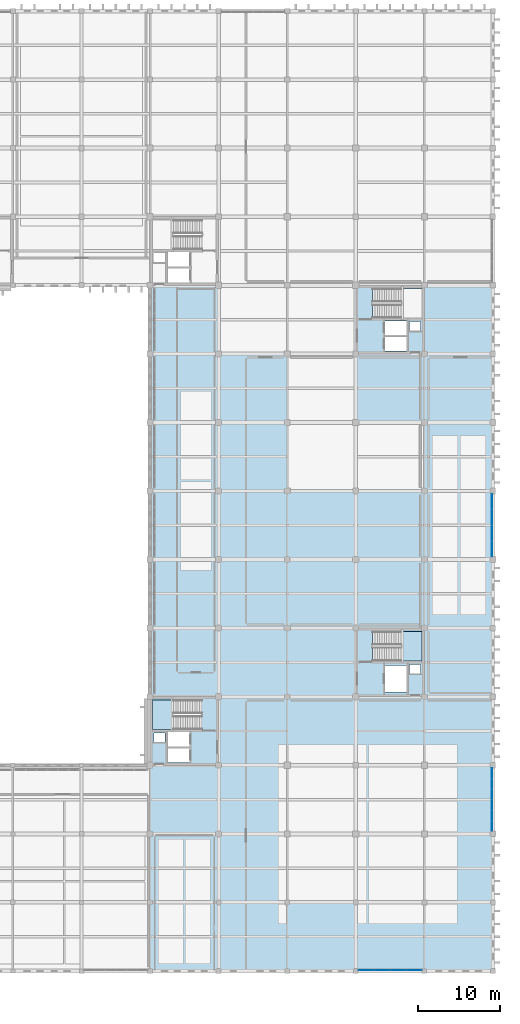
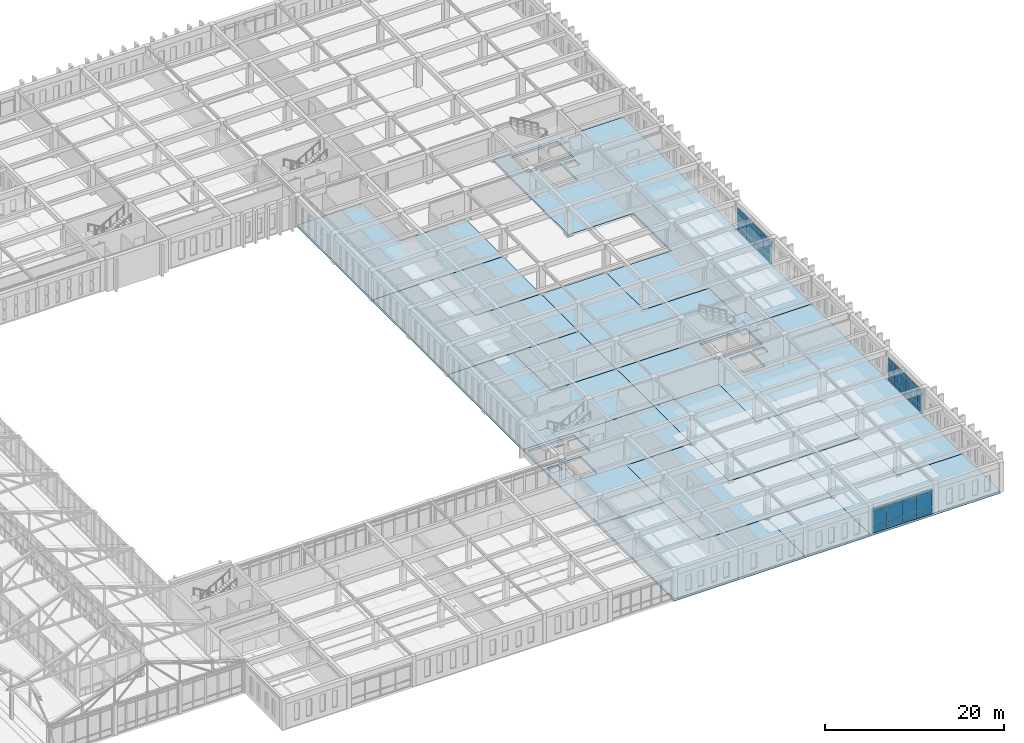
# One storey, part 128 of 192: 42 plates, 16 slabs, 5 elements without a shape of their own.
"""IFC4 building model written with IfcOpenShell, lengths in metres."""

from ifc_helpers import new_model, si_unit, direction, frame, origin, origin_2d, place, context, subcontext, project, spatial, polyline, rectangle, outline, extrude, material, layer, layer_set, type_object, element, aggregate, save


model = new_model("IFC4")

# Units and contexts
model_context = context("Model", 3, precision=1e-05, world=origin(), true_north=direction((0.0, 1.0)))
body_context = subcontext(model_context, "Body", "Model", "MODEL_VIEW")
ifc_project = project(units=[si_unit("LENGTHUNIT", "METRE"), si_unit("AREAUNIT", "SQUARE_METRE"), si_unit("VOLUMEUNIT", "CUBIC_METRE"), si_unit("PLANEANGLEUNIT", "RADIAN"), si_unit("MASSUNIT", "GRAM", prefix="KILO")], contexts=[model_context])

# Site, building, storey
site_placement = place(None, origin())
site = spatial("IfcSite", under=ifc_project, at=site_placement, CompositionType="ELEMENT")
building_placement = place(site_placement, origin())
building = spatial("IfcBuilding", under=site, at=building_placement, Name="Kveldsbrygga Polytechnic", CompositionType="ELEMENT")
storey_placement = place(building_placement, frame((0.0, 0.0, 5.43994140625)))
storey = spatial("IfcBuildingStorey", under=building, at=storey_placement, Name="L01", CompositionType="ELEMENT", Elevation=5.43994140625)

# Curtain wall, plates
ifc_material_1 = material(Name="Anodised aluminium AW-6060", Category="aluminium")
ifc_layer_1 = layer(ifc_material_1, 0.179931640625)
ifc_layer_set_1 = layer_set([ifc_layer_1], Name="Anodised aluminium AW-6060")
curtain_wall_type_1 = type_object("IfcCurtainWallType", Name="CW-CONC-A", PredefinedType="USERDEFINED", material=ifc_layer_set_1)
curtain_wall_1_placement = place(storey_placement, origin())
curtain_wall_1 = element("IfcCurtainWall", 1, at=curtain_wall_1_placement, inside=storey, type_object=curtain_wall_type_1, Name="Curtain Wall CW-L01-Y-20-02", ObjectType="UNITISED CURTAIN WALL", PredefinedType="USERDEFINED")
ifc_material_2 = material(Name="Insulated triple low-E glass", Category="glass")
ifc_layer_2 = layer(ifc_material_2, 0.035888671875)
ifc_layer_set_2 = layer_set([ifc_layer_2], Name="Insulated triple low-E glass")
plate_type_1 = type_object("IfcPlateType", Name="CW-PAN-VIS36", PredefinedType="CURTAIN_PANEL", material=ifc_layer_set_2)
plate_1_placement = place(storey_placement, frame((167.89990234375, 17.794921875, 0.06005859375), z_axis=(0.0, 0.0, 1.0), x_axis=(0.0, 1.0, 0.0)))
plate_1 = element("IfcPlate", 2, at=plate_1_placement, type_object=plate_type_1, Name="CW-01 panel 1.1", PredefinedType="CURTAIN_PANEL", context=body_context, shape_type="SweptSolid", body=[
    extrude(rectangle(XDim=1.199951171875, YDim=0.035888671875, at=origin_2d()), origin(), (0.0, 0.0, 1.0), 0.81005859375),
])
plate_2_placement = place(storey_placement, frame((167.89990234375, 17.794921875, 0.93017578125), z_axis=(0.0, 0.0, 1.0), x_axis=(0.0, 1.0, 0.0)))
plate_2 = element("IfcPlate", 3, at=plate_2_placement, type_object=plate_type_1, Name="CW-01 panel 1.2", PredefinedType="CURTAIN_PANEL", context=body_context, shape_type="SweptSolid", body=[
    extrude(rectangle(XDim=1.199951171875, YDim=0.035888671875, at=origin_2d()), origin(), (0.0, 0.0, 1.0), 1.860107421875),
])
plate_3_placement = place(storey_placement, frame((167.89990234375, 17.794921875, 2.85009765625), z_axis=(0.0, 0.0, 1.0), x_axis=(0.0, 1.0, 0.0)))
plate_3 = element("IfcPlate", 4, at=plate_3_placement, type_object=plate_type_1, Name="CW-01 panel 1.3", PredefinedType="CURTAIN_PANEL", context=body_context, shape_type="SweptSolid", body=[
    extrude(rectangle(XDim=1.199951171875, YDim=0.035888671875, at=origin_2d()), origin(), (0.0, 0.0, 1.0), 0.4599609375),
])
plate_4_placement = place(storey_placement, frame((167.89990234375, 19.070068359375, 0.06005859375), z_axis=(0.0, 0.0, 1.0), x_axis=(0.0, 1.0, 0.0)))
plate_4 = element("IfcPlate", 5, at=plate_4_placement, type_object=plate_type_1, Name="CW-01 panel 2.1", PredefinedType="CURTAIN_PANEL", context=body_context, shape_type="SweptSolid", body=[
    extrude(rectangle(XDim=1.22998046875, YDim=0.035888671875, at=origin_2d()), origin(), (0.0, 0.0, 1.0), 0.81005859375),
])
plate_5_placement = place(storey_placement, frame((167.89990234375, 19.070068359375, 0.93017578125), z_axis=(0.0, 0.0, 1.0), x_axis=(0.0, 1.0, 0.0)))
plate_5 = element("IfcPlate", 6, at=plate_5_placement, type_object=plate_type_1, Name="CW-01 panel 2.2", PredefinedType="CURTAIN_PANEL", context=body_context, shape_type="SweptSolid", body=[
    extrude(rectangle(XDim=1.22998046875, YDim=0.035888671875, at=origin_2d()), origin(), (0.0, 0.0, 1.0), 1.860107421875),
])
plate_6_placement = place(storey_placement, frame((167.89990234375, 19.070068359375, 2.85009765625), z_axis=(0.0, 0.0, 1.0), x_axis=(0.0, 1.0, 0.0)))
plate_6 = element("IfcPlate", 7, at=plate_6_placement, type_object=plate_type_1, Name="CW-01 panel 2.3", PredefinedType="CURTAIN_PANEL", context=body_context, shape_type="SweptSolid", body=[
    extrude(rectangle(XDim=1.22998046875, YDim=0.035888671875, at=origin_2d()), origin(), (0.0, 0.0, 1.0), 0.4599609375),
])
plate_7_placement = place(storey_placement, frame((167.89990234375, 20.360107421875, 0.06005859375), z_axis=(0.0, 0.0, 1.0), x_axis=(0.0, 1.0, 0.0)))
plate_7 = element("IfcPlate", 8, at=plate_7_placement, type_object=plate_type_1, Name="CW-01 panel 3.1", PredefinedType="CURTAIN_PANEL", context=body_context, shape_type="SweptSolid", body=[
    extrude(rectangle(XDim=1.22998046875, YDim=0.035888671875, at=origin_2d()), origin(), (0.0, 0.0, 1.0), 0.81005859375),
])
plate_8_placement = place(storey_placement, frame((167.89990234375, 20.360107421875, 0.93017578125), z_axis=(0.0, 0.0, 1.0), x_axis=(0.0, 1.0, 0.0)))
plate_8 = element("IfcPlate", 9, at=plate_8_placement, type_object=plate_type_1, Name="CW-01 panel 3.2", PredefinedType="CURTAIN_PANEL", context=body_context, shape_type="SweptSolid", body=[
    extrude(rectangle(XDim=1.22998046875, YDim=0.035888671875, at=origin_2d()), origin(), (0.0, 0.0, 1.0), 1.860107421875),
])
plate_9_placement = place(storey_placement, frame((167.89990234375, 20.360107421875, 2.85009765625), z_axis=(0.0, 0.0, 1.0), x_axis=(0.0, 1.0, 0.0)))
plate_9 = element("IfcPlate", 10, at=plate_9_placement, type_object=plate_type_1, Name="CW-01 panel 3.3", PredefinedType="CURTAIN_PANEL", context=body_context, shape_type="SweptSolid", body=[
    extrude(rectangle(XDim=1.22998046875, YDim=0.035888671875, at=origin_2d()), origin(), (0.0, 0.0, 1.0), 0.4599609375),
])
plate_10_placement = place(storey_placement, frame((167.89990234375, 21.64990234375, 0.06005859375), z_axis=(0.0, 0.0, 1.0), x_axis=(0.0, 1.0, 0.0)))
plate_10 = element("IfcPlate", 11, at=plate_10_placement, type_object=plate_type_1, Name="CW-01 panel 4.1", PredefinedType="CURTAIN_PANEL", context=body_context, shape_type="SweptSolid", body=[
    extrude(rectangle(XDim=1.22998046875, YDim=0.035888671875, at=origin_2d()), origin(), (0.0, 0.0, 1.0), 0.81005859375),
])
plate_11_placement = place(storey_placement, frame((167.89990234375, 21.64990234375, 0.93017578125), z_axis=(0.0, 0.0, 1.0), x_axis=(0.0, 1.0, 0.0)))
plate_11 = element("IfcPlate", 12, at=plate_11_placement, type_object=plate_type_1, Name="CW-01 panel 4.2", PredefinedType="CURTAIN_PANEL", context=body_context, shape_type="SweptSolid", body=[
    extrude(rectangle(XDim=1.22998046875, YDim=0.035888671875, at=origin_2d()), origin(), (0.0, 0.0, 1.0), 1.860107421875),
])
plate_12_placement = place(storey_placement, frame((167.89990234375, 21.64990234375, 2.85009765625), z_axis=(0.0, 0.0, 1.0), x_axis=(0.0, 1.0, 0.0)))
plate_12 = element("IfcPlate", 13, at=plate_12_placement, type_object=plate_type_1, Name="CW-01 panel 4.3", PredefinedType="CURTAIN_PANEL", context=body_context, shape_type="SweptSolid", body=[
    extrude(rectangle(XDim=1.22998046875, YDim=0.035888671875, at=origin_2d()), origin(), (0.0, 0.0, 1.0), 0.4599609375),
])
plate_13_placement = place(storey_placement, frame((167.89990234375, 22.93994140625, 0.06005859375), z_axis=(0.0, 0.0, 1.0), x_axis=(0.0, 1.0, 0.0)))
plate_13 = element("IfcPlate", 14, at=plate_13_placement, type_object=plate_type_1, Name="CW-01 panel 5.1", PredefinedType="CURTAIN_PANEL", context=body_context, shape_type="SweptSolid", body=[
    extrude(rectangle(XDim=1.22998046875, YDim=0.035888671875, at=origin_2d()), origin(), (0.0, 0.0, 1.0), 0.81005859375),
])
plate_14_placement = place(storey_placement, frame((167.89990234375, 22.93994140625, 0.93017578125), z_axis=(0.0, 0.0, 1.0), x_axis=(0.0, 1.0, 0.0)))
plate_14 = element("IfcPlate", 15, at=plate_14_placement, type_object=plate_type_1, Name="CW-01 panel 5.2", PredefinedType="CURTAIN_PANEL", context=body_context, shape_type="SweptSolid", body=[
    extrude(rectangle(XDim=1.22998046875, YDim=0.035888671875, at=origin_2d()), origin(), (0.0, 0.0, 1.0), 1.860107421875),
])
plate_15_placement = place(storey_placement, frame((167.89990234375, 22.93994140625, 2.85009765625), z_axis=(0.0, 0.0, 1.0), x_axis=(0.0, 1.0, 0.0)))
plate_15 = element("IfcPlate", 16, at=plate_15_placement, type_object=plate_type_1, Name="CW-01 panel 5.3", PredefinedType="CURTAIN_PANEL", context=body_context, shape_type="SweptSolid", body=[
    extrude(rectangle(XDim=1.22998046875, YDim=0.035888671875, at=origin_2d()), origin(), (0.0, 0.0, 1.0), 0.4599609375),
])
plate_16_placement = place(storey_placement, frame((167.89990234375, 24.215087890625, 0.06005859375), z_axis=(0.0, 0.0, 1.0), x_axis=(0.0, 1.0, 0.0)))
plate_16 = element("IfcPlate", 17, at=plate_16_placement, type_object=plate_type_1, Name="CW-01 panel 6.1", PredefinedType="CURTAIN_PANEL", context=body_context, shape_type="SweptSolid", body=[
    extrude(rectangle(XDim=1.199951171875, YDim=0.035888671875, at=origin_2d()), origin(), (0.0, 0.0, 1.0), 0.81005859375),
])
plate_17_placement = place(storey_placement, frame((167.89990234375, 24.215087890625, 0.93017578125), z_axis=(0.0, 0.0, 1.0), x_axis=(0.0, 1.0, 0.0)))
plate_17 = element("IfcPlate", 18, at=plate_17_placement, type_object=plate_type_1, Name="CW-01 panel 6.2", PredefinedType="CURTAIN_PANEL", context=body_context, shape_type="SweptSolid", body=[
    extrude(rectangle(XDim=1.199951171875, YDim=0.035888671875, at=origin_2d()), origin(), (0.0, 0.0, 1.0), 1.860107421875),
])
plate_18_placement = place(storey_placement, frame((167.89990234375, 24.215087890625, 2.85009765625), z_axis=(0.0, 0.0, 1.0), x_axis=(0.0, 1.0, 0.0)))
plate_18 = element("IfcPlate", 19, at=plate_18_placement, type_object=plate_type_1, Name="CW-01 panel 6.3", PredefinedType="CURTAIN_PANEL", context=body_context, shape_type="SweptSolid", body=[
    extrude(rectangle(XDim=1.199951171875, YDim=0.035888671875, at=origin_2d()), origin(), (0.0, 0.0, 1.0), 0.4599609375),
])
aggregate(curtain_wall_1, [plate_1, plate_2, plate_3, plate_4, plate_5, plate_6, plate_7, plate_8, plate_9, plate_10, plate_11, plate_12, plate_13, plate_14, plate_15, plate_16, plate_17, plate_18])

ifc_layer_3 = layer(ifc_material_1, 0.199951171875)
ifc_layer_set_3 = layer_set([ifc_layer_3], Name="Anodised aluminium AW-6060")
curtain_wall_type_2 = type_object("IfcCurtainWallType", Name="CW-LANC-E", PredefinedType="USERDEFINED", material=ifc_layer_set_3)
curtain_wall_2_placement = place(storey_placement, origin())
curtain_wall_2 = element("IfcCurtainWall", 20, at=curtain_wall_2_placement, inside=storey, type_object=curtain_wall_type_2, Name="Curtain Wall CW-L01-X-18-00", ObjectType="UNITISED CURTAIN WALL", PredefinedType="USERDEFINED")
ifc_layer_4 = layer(ifc_material_2, 0.0419921875)
ifc_layer_set_4 = layer_set([ifc_layer_4], Name="Insulated triple low-E glass")
plate_type_2 = type_object("IfcPlateType", Name="CW-PAN-VIS42", PredefinedType="CURTAIN_PANEL", material=ifc_layer_set_4)
plate_19_placement = place(storey_placement, frame((152.47998046875, 0.10009765625, 0.06005859375), z_axis=(0.0, 0.0, 1.0), x_axis=(1.0, 0.0, 0.0)))
plate_19 = element("IfcPlate", 21, at=plate_19_placement, type_object=plate_type_2, Name="CW-05 panel 1.1", PredefinedType="CURTAIN_PANEL", context=body_context, shape_type="SweptSolid", body=[
    extrude(rectangle(XDim=1.8701171875, YDim=0.0419921875, at=origin_2d()), origin(), (0.0, 0.0, 1.0), 0.81005859375),
])
plate_20_placement = place(storey_placement, frame((152.47998046875, 0.10009765625, 0.929931640625), z_axis=(0.0, 0.0, 1.0), x_axis=(1.0, 0.0, 0.0)))
plate_20 = element("IfcPlate", 22, at=plate_20_placement, type_object=plate_type_2, Name="CW-05 panel 1.2", PredefinedType="CURTAIN_PANEL", context=body_context, shape_type="SweptSolid", body=[
    extrude(rectangle(XDim=1.8701171875, YDim=0.0419921875, at=origin_2d()), origin(), (0.0, 0.0, 1.0), 1.8701171875),
])
plate_21_placement = place(storey_placement, frame((152.47998046875, 0.10009765625, 2.860107421875), z_axis=(0.0, 0.0, 1.0), x_axis=(1.0, 0.0, 0.0)))
plate_21 = element("IfcPlate", 23, at=plate_21_placement, type_object=plate_type_2, Name="CW-05 panel 1.3", PredefinedType="CURTAIN_PANEL", context=body_context, shape_type="SweptSolid", body=[
    extrude(rectangle(XDim=1.8701171875, YDim=0.0419921875, at=origin_2d()), origin(), (0.0, 0.0, 1.0), 0.4599609375),
])
plate_22_placement = place(storey_placement, frame((154.425048828125, 0.10009765625, 0.06005859375), z_axis=(0.0, 0.0, 1.0), x_axis=(1.0, 0.0, 0.0)))
plate_22 = element("IfcPlate", 24, at=plate_22_placement, type_object=plate_type_2, Name="CW-05 panel 2.1", PredefinedType="CURTAIN_PANEL", context=body_context, shape_type="SweptSolid", body=[
    extrude(rectangle(XDim=1.89990234375, YDim=0.0419921875, at=origin_2d()), origin(), (0.0, 0.0, 1.0), 0.81005859375),
])
plate_23_placement = place(storey_placement, frame((154.425048828125, 0.10009765625, 0.929931640625), z_axis=(0.0, 0.0, 1.0), x_axis=(1.0, 0.0, 0.0)))
plate_23 = element("IfcPlate", 25, at=plate_23_placement, type_object=plate_type_2, Name="CW-05 panel 2.2", PredefinedType="CURTAIN_PANEL", context=body_context, shape_type="SweptSolid", body=[
    extrude(rectangle(XDim=1.89990234375, YDim=0.0419921875, at=origin_2d()), origin(), (0.0, 0.0, 1.0), 1.8701171875),
])
plate_24_placement = place(storey_placement, frame((154.425048828125, 0.10009765625, 2.860107421875), z_axis=(0.0, 0.0, 1.0), x_axis=(1.0, 0.0, 0.0)))
plate_24 = element("IfcPlate", 26, at=plate_24_placement, type_object=plate_type_2, Name="CW-05 panel 2.3", PredefinedType="CURTAIN_PANEL", context=body_context, shape_type="SweptSolid", body=[
    extrude(rectangle(XDim=1.89990234375, YDim=0.0419921875, at=origin_2d()), origin(), (0.0, 0.0, 1.0), 0.4599609375),
])
plate_25_placement = place(storey_placement, frame((156.385009765625, 0.10009765625, 0.06005859375), z_axis=(0.0, 0.0, 1.0), x_axis=(1.0, 0.0, 0.0)))
plate_25 = element("IfcPlate", 27, at=plate_25_placement, type_object=plate_type_2, Name="CW-05 panel 3.1", PredefinedType="CURTAIN_PANEL", context=body_context, shape_type="SweptSolid", body=[
    extrude(rectangle(XDim=1.89990234375, YDim=0.0419921875, at=origin_2d()), origin(), (0.0, 0.0, 1.0), 0.81005859375),
])
plate_26_placement = place(storey_placement, frame((156.385009765625, 0.10009765625, 0.929931640625), z_axis=(0.0, 0.0, 1.0), x_axis=(1.0, 0.0, 0.0)))
plate_26 = element("IfcPlate", 28, at=plate_26_placement, type_object=plate_type_2, Name="CW-05 panel 3.2", PredefinedType="CURTAIN_PANEL", context=body_context, shape_type="SweptSolid", body=[
    extrude(rectangle(XDim=1.89990234375, YDim=0.0419921875, at=origin_2d()), origin(), (0.0, 0.0, 1.0), 1.8701171875),
])
plate_27_placement = place(storey_placement, frame((156.385009765625, 0.10009765625, 2.860107421875), z_axis=(0.0, 0.0, 1.0), x_axis=(1.0, 0.0, 0.0)))
plate_27 = element("IfcPlate", 29, at=plate_27_placement, type_object=plate_type_2, Name="CW-05 panel 3.3", PredefinedType="CURTAIN_PANEL", context=body_context, shape_type="SweptSolid", body=[
    extrude(rectangle(XDim=1.89990234375, YDim=0.0419921875, at=origin_2d()), origin(), (0.0, 0.0, 1.0), 0.4599609375),
])
plate_28_placement = place(storey_placement, frame((158.330078125, 0.10009765625, 0.06005859375), z_axis=(0.0, 0.0, 1.0), x_axis=(1.0, 0.0, 0.0)))
plate_28 = element("IfcPlate", 30, at=plate_28_placement, type_object=plate_type_2, Name="CW-05 panel 4.1", PredefinedType="CURTAIN_PANEL", context=body_context, shape_type="SweptSolid", body=[
    extrude(rectangle(XDim=1.8701171875, YDim=0.0419921875, at=origin_2d()), origin(), (0.0, 0.0, 1.0), 0.81005859375),
])
plate_29_placement = place(storey_placement, frame((158.330078125, 0.10009765625, 0.929931640625), z_axis=(0.0, 0.0, 1.0), x_axis=(1.0, 0.0, 0.0)))
plate_29 = element("IfcPlate", 31, at=plate_29_placement, type_object=plate_type_2, Name="CW-05 panel 4.2", PredefinedType="CURTAIN_PANEL", context=body_context, shape_type="SweptSolid", body=[
    extrude(rectangle(XDim=1.8701171875, YDim=0.0419921875, at=origin_2d()), origin(), (0.0, 0.0, 1.0), 1.8701171875),
])
plate_30_placement = place(storey_placement, frame((158.330078125, 0.10009765625, 2.860107421875), z_axis=(0.0, 0.0, 1.0), x_axis=(1.0, 0.0, 0.0)))
plate_30 = element("IfcPlate", 32, at=plate_30_placement, type_object=plate_type_2, Name="CW-05 panel 4.3", PredefinedType="CURTAIN_PANEL", context=body_context, shape_type="SweptSolid", body=[
    extrude(rectangle(XDim=1.8701171875, YDim=0.0419921875, at=origin_2d()), origin(), (0.0, 0.0, 1.0), 0.4599609375),
])
aggregate(curtain_wall_2, [plate_19, plate_20, plate_21, plate_22, plate_23, plate_24, plate_25, plate_26, plate_27, plate_28, plate_29, plate_30])

curtain_wall_3_placement = place(storey_placement, origin())
curtain_wall_3 = element("IfcCurtainWall", 33, at=curtain_wall_3_placement, inside=storey, type_object=curtain_wall_type_2, Name="Curtain Wall CW-L01-Y-20-06", ObjectType="UNITISED CURTAIN WALL", PredefinedType="USERDEFINED")
plate_31_placement = place(storey_placement, frame((167.89990234375, 51.717529296875, 0.06005859375), z_axis=(0.0, 0.0, 1.0), x_axis=(0.0, 1.0, 0.0)))
plate_31 = element("IfcPlate", 34, at=plate_31_placement, type_object=plate_type_2, Name="CW-05 panel 1.1", PredefinedType="CURTAIN_PANEL", context=body_context, shape_type="SweptSolid", body=[
    extrude(rectangle(XDim=1.844970703125, YDim=0.0419921875, at=origin_2d()), origin(), (0.0, 0.0, 1.0), 0.81005859375),
])
plate_32_placement = place(storey_placement, frame((167.89990234375, 51.717529296875, 0.93017578125), z_axis=(0.0, 0.0, 1.0), x_axis=(0.0, 1.0, 0.0)))
plate_32 = element("IfcPlate", 35, at=plate_32_placement, type_object=plate_type_2, Name="CW-05 panel 1.2", PredefinedType="CURTAIN_PANEL", context=body_context, shape_type="SweptSolid", body=[
    extrude(rectangle(XDim=1.844970703125, YDim=0.0419921875, at=origin_2d()), origin(), (0.0, 0.0, 1.0), 1.860107421875),
])
plate_33_placement = place(storey_placement, frame((167.89990234375, 51.717529296875, 2.85009765625), z_axis=(0.0, 0.0, 1.0), x_axis=(0.0, 1.0, 0.0)))
plate_33 = element("IfcPlate", 36, at=plate_33_placement, type_object=plate_type_2, Name="CW-05 panel 1.3", PredefinedType="CURTAIN_PANEL", context=body_context, shape_type="SweptSolid", body=[
    extrude(rectangle(XDim=1.844970703125, YDim=0.0419921875, at=origin_2d()), origin(), (0.0, 0.0, 1.0), 0.4599609375),
])
plate_34_placement = place(storey_placement, frame((167.89990234375, 53.637451171875, 0.06005859375), z_axis=(0.0, 0.0, 1.0), x_axis=(0.0, 1.0, 0.0)))
plate_34 = element("IfcPlate", 37, at=plate_34_placement, type_object=plate_type_2, Name="CW-05 panel 2.1", PredefinedType="CURTAIN_PANEL", context=body_context, shape_type="SweptSolid", body=[
    extrude(rectangle(XDim=1.875, YDim=0.0419921875, at=origin_2d()), origin(), (0.0, 0.0, 1.0), 0.81005859375),
])
plate_35_placement = place(storey_placement, frame((167.89990234375, 53.637451171875, 0.93017578125), z_axis=(0.0, 0.0, 1.0), x_axis=(0.0, 1.0, 0.0)))
plate_35 = element("IfcPlate", 38, at=plate_35_placement, type_object=plate_type_2, Name="CW-05 panel 2.2", PredefinedType="CURTAIN_PANEL", context=body_context, shape_type="SweptSolid", body=[
    extrude(rectangle(XDim=1.875, YDim=0.0419921875, at=origin_2d()), origin(), (0.0, 0.0, 1.0), 1.860107421875),
])
plate_36_placement = place(storey_placement, frame((167.89990234375, 53.637451171875, 2.85009765625), z_axis=(0.0, 0.0, 1.0), x_axis=(0.0, 1.0, 0.0)))
plate_36 = element("IfcPlate", 39, at=plate_36_placement, type_object=plate_type_2, Name="CW-05 panel 2.3", PredefinedType="CURTAIN_PANEL", context=body_context, shape_type="SweptSolid", body=[
    extrude(rectangle(XDim=1.875, YDim=0.0419921875, at=origin_2d()), origin(), (0.0, 0.0, 1.0), 0.4599609375),
])
plate_37_placement = place(storey_placement, frame((167.89990234375, 55.572509765625, 0.06005859375), z_axis=(0.0, 0.0, 1.0), x_axis=(0.0, 1.0, 0.0)))
plate_37 = element("IfcPlate", 40, at=plate_37_placement, type_object=plate_type_2, Name="CW-05 panel 3.1", PredefinedType="CURTAIN_PANEL", context=body_context, shape_type="SweptSolid", body=[
    extrude(rectangle(XDim=1.875, YDim=0.0419921875, at=origin_2d()), origin(), (0.0, 0.0, 1.0), 0.81005859375),
])
plate_38_placement = place(storey_placement, frame((167.89990234375, 55.572509765625, 0.93017578125), z_axis=(0.0, 0.0, 1.0), x_axis=(0.0, 1.0, 0.0)))
plate_38 = element("IfcPlate", 41, at=plate_38_placement, type_object=plate_type_2, Name="CW-05 panel 3.2", PredefinedType="CURTAIN_PANEL", context=body_context, shape_type="SweptSolid", body=[
    extrude(rectangle(XDim=1.875, YDim=0.0419921875, at=origin_2d()), origin(), (0.0, 0.0, 1.0), 1.860107421875),
])
plate_39_placement = place(storey_placement, frame((167.89990234375, 55.572509765625, 2.85009765625), z_axis=(0.0, 0.0, 1.0), x_axis=(0.0, 1.0, 0.0)))
plate_39 = element("IfcPlate", 42, at=plate_39_placement, type_object=plate_type_2, Name="CW-05 panel 3.3", PredefinedType="CURTAIN_PANEL", context=body_context, shape_type="SweptSolid", body=[
    extrude(rectangle(XDim=1.875, YDim=0.0419921875, at=origin_2d()), origin(), (0.0, 0.0, 1.0), 0.4599609375),
])
plate_40_placement = place(storey_placement, frame((167.89990234375, 57.492431640625, 0.06005859375), z_axis=(0.0, 0.0, 1.0), x_axis=(0.0, 1.0, 0.0)))
plate_40 = element("IfcPlate", 43, at=plate_40_placement, type_object=plate_type_2, Name="CW-05 panel 4.1", PredefinedType="CURTAIN_PANEL", context=body_context, shape_type="SweptSolid", body=[
    extrude(rectangle(XDim=1.844970703125, YDim=0.0419921875, at=origin_2d()), origin(), (0.0, 0.0, 1.0), 0.81005859375),
])
plate_41_placement = place(storey_placement, frame((167.89990234375, 57.492431640625, 0.93017578125), z_axis=(0.0, 0.0, 1.0), x_axis=(0.0, 1.0, 0.0)))
plate_41 = element("IfcPlate", 44, at=plate_41_placement, type_object=plate_type_2, Name="CW-05 panel 4.2", PredefinedType="CURTAIN_PANEL", context=body_context, shape_type="SweptSolid", body=[
    extrude(rectangle(XDim=1.844970703125, YDim=0.0419921875, at=origin_2d()), origin(), (0.0, 0.0, 1.0), 1.860107421875),
])
plate_42_placement = place(storey_placement, frame((167.89990234375, 57.492431640625, 2.85009765625), z_axis=(0.0, 0.0, 1.0), x_axis=(0.0, 1.0, 0.0)))
plate_42 = element("IfcPlate", 45, at=plate_42_placement, type_object=plate_type_2, Name="CW-05 panel 4.3", PredefinedType="CURTAIN_PANEL", context=body_context, shape_type="SweptSolid", body=[
    extrude(rectangle(XDim=1.844970703125, YDim=0.0419921875, at=origin_2d()), origin(), (0.0, 0.0, 1.0), 0.4599609375),
])
aggregate(curtain_wall_3, [plate_31, plate_32, plate_33, plate_34, plate_35, plate_36, plate_37, plate_38, plate_39, plate_40, plate_41, plate_42])

# Slabs
ifc_material_3 = material(Name="Concrete C35/45", Category="concrete")
ifc_layer_5 = layer(ifc_material_3, 0.300048828125)
ifc_layer_set_5 = layer_set([ifc_layer_5], Name="Concrete C35/45")
slab_type_1 = type_object("IfcSlabType", Name="SLB-LAB-300", PredefinedType="FLOOR", material=ifc_layer_set_5)
slab_1_placement = place(storey_placement, frame((0.0, 0.0, -0.300048828125)))
element("IfcSlab", 46, at=slab_1_placement, inside=storey, type_object=slab_type_1, Name="Slab SLB-L01-V4-L03-1", PredefinedType="FLOOR", context=body_context, shape_type="SweptSolid", body=[
    extrude(outline(polyline([(126.0, 0.0), (126.0, 8.39990234375), (126.0, 16.800048828125), (134.39990234375, 16.800048828125), (134.39990234375, 8.39990234375), (142.800048828125, 8.39990234375), (142.800048828125, 0.0), (134.39990234375, 0.0), (126.0, 0.0)])), origin(), (0.0, 0.0, 1.0), 0.300048828125),
])
slab_2_placement = place(storey_placement, frame((0.0, 0.0, -0.300048828125)))
element("IfcSlab", 47, at=slab_2_placement, inside=storey, type_object=slab_type_1, Name="Slab SLB-L01-V4-L04-1", PredefinedType="FLOOR", context=body_context, shape_type="SweptSolid", body=[
    extrude(outline(polyline([(126.0, 33.60009765625), (126.0, 42.0), (126.0, 50.39990234375), (134.39990234375, 50.39990234375), (134.39990234375, 42.0), (142.800048828125, 42.0), (142.800048828125, 33.60009765625), (134.39990234375, 33.60009765625), (126.0, 33.60009765625)])), origin(), (0.0, 0.0, 1.0), 0.300048828125),
])
slab_3_placement = place(storey_placement, frame((0.0, 0.0, -0.300048828125)))
element("IfcSlab", 48, at=slab_3_placement, inside=storey, type_object=slab_type_1, Name="Slab SLB-L01-V4-L05-1", PredefinedType="FLOOR", context=body_context, shape_type="SweptSolid", body=[
    extrude(outline(polyline([(126.0, 50.39990234375), (126.0, 58.800048828125), (126.0, 67.199951171875), (134.39990234375, 67.199951171875), (134.39990234375, 58.800048828125), (142.800048828125, 58.800048828125), (142.800048828125, 50.39990234375), (134.39990234375, 50.39990234375), (126.0, 50.39990234375)])), origin(), (0.0, 0.0, 1.0), 0.300048828125),
])
slab_4_placement = place(storey_placement, frame((0.0, 0.0, -0.300048828125)))
element("IfcSlab", 49, at=slab_4_placement, inside=storey, type_object=slab_type_1, Name="Slab SLB-L01-V4-L06-1", PredefinedType="FLOOR", context=body_context, shape_type="SweptSolid", body=[
    extrude(outline(polyline([(126.0, 67.199951171875), (126.0, 75.60009765625), (126.0, 84.0), (134.39990234375, 84.0), (134.39990234375, 75.60009765625), (142.800048828125, 75.60009765625), (142.800048828125, 67.199951171875), (134.39990234375, 67.199951171875), (126.0, 67.199951171875)])), origin(), (0.0, 0.0, 1.0), 0.300048828125),
])
slab_5_placement = place(storey_placement, frame((0.0, 0.0, -0.300048828125)))
element("IfcSlab", 50, at=slab_5_placement, inside=storey, type_object=slab_type_1, Name="Slab SLB-L01-V4-L08-1", PredefinedType="FLOOR", context=body_context, shape_type="SweptSolid", body=[
    extrude(outline(polyline([(134.39990234375, 8.39990234375), (134.39990234375, 16.800048828125), (134.39990234375, 25.199951171875), (142.800048828125, 25.199951171875), (142.800048828125, 16.800048828125), (151.199951171875, 16.800048828125), (151.199951171875, 8.39990234375), (142.800048828125, 8.39990234375), (134.39990234375, 8.39990234375)])), origin(), (0.0, 0.0, 1.0), 0.300048828125),
])
slab_6_placement = place(storey_placement, frame((0.0, 0.0, -0.300048828125)))
element("IfcSlab", 51, at=slab_6_placement, inside=storey, type_object=slab_type_1, Name="Slab SLB-L01-V4-L11-1", PredefinedType="FLOOR", context=body_context, shape_type="SweptSolid", body=[
    extrude(outline(polyline([(142.800048828125, 16.800048828125), (142.800048828125, 25.199951171875), (142.800048828125, 33.60009765625), (151.199951171875, 33.60009765625), (151.199951171875, 25.199951171875), (159.60009765625, 25.199951171875), (159.60009765625, 16.800048828125), (151.199951171875, 16.800048828125), (142.800048828125, 16.800048828125)])), origin(), (0.0, 0.0, 1.0), 0.300048828125),
])
slab_7_placement = place(storey_placement, frame((0.0, 0.0, -0.300048828125)))
element("IfcSlab", 52, at=slab_7_placement, inside=storey, type_object=slab_type_1, Name="Slab SLB-L01-V4-L12-1", PredefinedType="FLOOR", context=body_context, shape_type="SweptSolid", body=[
    extrude(outline(polyline([(142.800048828125, 42.0), (142.800048828125, 50.39990234375), (142.800048828125, 58.800048828125), (151.199951171875, 58.800048828125), (151.199951171875, 50.39990234375), (159.60009765625, 50.39990234375), (159.60009765625, 42.0), (151.199951171875, 42.0), (142.800048828125, 42.0)])), origin(), (0.0, 0.0, 1.0), 0.300048828125),
])
slab_8_placement = place(storey_placement, frame((0.0, 0.0, -0.300048828125)))
element("IfcSlab", 53, at=slab_8_placement, inside=storey, type_object=slab_type_1, Name="Slab SLB-L01-V4-L15-1", PredefinedType="FLOOR", context=body_context, shape_type="SweptSolid", body=[
    extrude(outline(polyline([(151.199951171875, 0.0), (151.199951171875, 8.39990234375), (151.199951171875, 16.800048828125), (159.60009765625, 16.800048828125), (159.60009765625, 8.39990234375), (168.0, 8.39990234375), (168.0, 0.0), (159.60009765625, 0.0), (151.199951171875, 0.0)])), origin(), (0.0, 0.0, 1.0), 0.300048828125),
])
slab_9_placement = place(storey_placement, frame((0.0, 0.0, -0.300048828125)))
element("IfcSlab", 54, at=slab_9_placement, inside=storey, type_object=slab_type_1, Name="Slab SLB-L01-V4-Z3-1", PredefinedType="FLOOR", context=body_context, shape_type="SweptSolid", body=[
    extrude(outline(polyline([(151.199951171875, 8.39990234375), (151.199951171875, 0.0), (142.800048828125, 0.0), (142.800048828125, 8.39990234375), (151.199951171875, 8.39990234375)])), origin(), (0.0, 0.0, 1.0), 0.300048828125),
])
slab_10_placement = place(storey_placement, frame((0.0, 0.0, -0.300048828125)))
element("IfcSlab", 55, at=slab_10_placement, inside=storey, type_object=slab_type_1, Name="Slab SLB-L01-V4-Z3-2", PredefinedType="FLOOR", context=body_context, shape_type="SweptSolid", body=[
    extrude(outline(polyline([(126.0, 33.60009765625), (134.39990234375, 33.60009765625), (142.800048828125, 33.60009765625), (142.800048828125, 25.199951171875), (134.39990234375, 25.199951171875), (134.39990234375, 16.800048828125), (126.0, 16.800048828125), (126.0, 25.199951171875), (126.0, 33.60009765625)]), holes=[polyline([(132.324951171875, 33.199951171875), (126.300048828125, 33.199951171875), (126.300048828125, 29.60009765625), (132.324951171875, 29.60009765625), (132.324951171875, 33.199951171875)]), polyline([(128.14990234375, 25.550048828125), (130.85009765625, 25.550048828125), (130.85009765625, 29.25), (128.14990234375, 29.25), (128.14990234375, 25.550048828125)]), polyline([(126.449951171875, 28.050048828125), (127.85009765625, 28.050048828125), (127.85009765625, 29.14990234375), (126.449951171875, 29.14990234375), (126.449951171875, 28.050048828125)])]), origin(), (0.0, 0.0, 1.0), 0.300048828125),
])
slab_11_placement = place(storey_placement, frame((0.0, 0.0, -0.300048828125)))
element("IfcSlab", 56, at=slab_11_placement, inside=storey, type_object=slab_type_1, Name="Slab SLB-L01-V4-Z3-3", PredefinedType="FLOOR", context=body_context, shape_type="SweptSolid", body=[
    extrude(outline(polyline([(151.199951171875, 25.199951171875), (151.199951171875, 33.60009765625), (142.800048828125, 33.60009765625), (142.800048828125, 42.0), (151.199951171875, 42.0), (159.60009765625, 42.0), (168.0, 42.0), (168.0, 33.60009765625), (168.0, 25.199951171875), (168.0, 16.800048828125), (168.0, 8.39990234375), (159.60009765625, 8.39990234375), (159.60009765625, 16.800048828125), (159.60009765625, 25.199951171875), (151.199951171875, 25.199951171875)]), holes=[polyline([(153.27490234375, 38.0), (159.300048828125, 38.0), (159.300048828125, 41.60009765625), (153.27490234375, 41.60009765625), (153.27490234375, 38.0)]), polyline([(154.75, 34.14990234375), (157.449951171875, 34.14990234375), (157.449951171875, 37.449951171875), (154.75, 37.449951171875), (154.75, 34.14990234375)]), polyline([(157.75, 36.449951171875), (159.14990234375, 36.449951171875), (159.14990234375, 37.550048828125), (157.75, 37.550048828125), (157.75, 36.449951171875)])]), origin(), (0.0, 0.0, 1.0), 0.300048828125),
])
slab_12_placement = place(storey_placement, frame((0.0, 0.0, -0.300048828125)))
element("IfcSlab", 57, at=slab_12_placement, inside=storey, type_object=slab_type_1, Name="Slab SLB-L01-V4-Z6-1", PredefinedType="FLOOR", context=body_context, shape_type="SweptSolid", body=[
    extrude(outline(polyline([(142.800048828125, 50.39990234375), (142.800048828125, 42.0), (134.39990234375, 42.0), (134.39990234375, 50.39990234375), (142.800048828125, 50.39990234375)])), origin(), (0.0, 0.0, 1.0), 0.300048828125),
])
slab_13_placement = place(storey_placement, frame((0.0, 0.0, -0.300048828125)))
element("IfcSlab", 58, at=slab_13_placement, inside=storey, type_object=slab_type_1, Name="Slab SLB-L01-V4-Z6-2", PredefinedType="FLOOR", context=body_context, shape_type="SweptSolid", body=[
    extrude(outline(polyline([(151.199951171875, 50.39990234375), (151.199951171875, 58.800048828125), (159.60009765625, 58.800048828125), (159.60009765625, 67.199951171875), (151.199951171875, 67.199951171875), (151.199951171875, 75.60009765625), (151.199951171875, 84.0), (159.60009765625, 84.0), (168.0, 84.0), (168.0, 75.60009765625), (168.0, 67.199951171875), (168.0, 58.800048828125), (168.0, 50.39990234375), (168.0, 42.0), (159.60009765625, 42.0), (159.60009765625, 50.39990234375), (151.199951171875, 50.39990234375)]), holes=[polyline([(153.27490234375, 80.0), (159.300048828125, 80.0), (159.300048828125, 83.60009765625), (153.27490234375, 83.60009765625), (153.27490234375, 80.0)]), polyline([(154.75, 75.949951171875), (157.449951171875, 75.949951171875), (157.449951171875, 79.64990234375), (154.75, 79.64990234375), (154.75, 75.949951171875)]), polyline([(157.75, 78.449951171875), (159.14990234375, 78.449951171875), (159.14990234375, 79.550048828125), (157.75, 79.550048828125), (157.75, 78.449951171875)])]), origin(), (0.0, 0.0, 1.0), 0.300048828125),
])
slab_14_placement = place(storey_placement, frame((0.0, 0.0, -0.300048828125)))
element("IfcSlab", 59, at=slab_14_placement, inside=storey, type_object=slab_type_1, Name="Slab SLB-L01-V4-Z6-3", PredefinedType="FLOOR", context=body_context, shape_type="SweptSolid", body=[
    extrude(outline(polyline([(142.800048828125, 58.800048828125), (134.39990234375, 58.800048828125), (134.39990234375, 67.199951171875), (142.800048828125, 67.199951171875), (142.800048828125, 58.800048828125)])), origin(), (0.0, 0.0, 1.0), 0.300048828125),
])

# Stair, slab
stair_type = type_object("IfcStairType", Name="STR-CORE-442", PredefinedType="HALF_TURN_STAIR", material=ifc_material_3)
stair_1_placement = place(storey_placement, origin())
stair_1 = element("IfcStair", 60, at=stair_1_placement, inside=storey, type_object=stair_type, Name="L01 Core C1 Escape Stair ST-1", PredefinedType="HALF_TURN_STAIR")
ifc_layer_6 = layer(ifc_material_3, 0.199951171875)
ifc_layer_set_6 = layer_set([ifc_layer_6], Name="Concrete C35/45")
slab_type_2 = type_object("IfcSlabType", Name="SLB-LANDING-200", PredefinedType="LANDING", material=ifc_layer_set_6)
slab_15_placement = place(storey_placement, frame((0.0, 0.0, 2.010009765625)))
slab_15 = element("IfcSlab", 61, at=slab_15_placement, type_object=slab_type_2, Name="ST-1 landing 1", PredefinedType="LANDING", context=body_context, shape_type="SweptSolid", body=[
    extrude(outline(polyline([(128.8701171875, 33.199951171875), (126.300048828125, 33.199951171875), (126.300048828125, 29.60009765625), (128.8701171875, 29.60009765625), (128.8701171875, 33.199951171875)])), origin(), (0.0, 0.0, 1.0), 0.199951171875),
])
aggregate(stair_1, [slab_15])

stair_2_placement = place(storey_placement, origin())
stair_2 = element("IfcStair", 62, at=stair_2_placement, inside=storey, type_object=stair_type, Name="L01 Core C3 Escape Stair ST-3", PredefinedType="HALF_TURN_STAIR")
slab_16_placement = place(storey_placement, frame((0.0, 0.0, 2.010009765625)))
slab_16 = element("IfcSlab", 63, at=slab_16_placement, type_object=slab_type_2, Name="ST-3 landing 1", PredefinedType="LANDING", context=body_context, shape_type="SweptSolid", body=[
    extrude(outline(polyline([(156.72998046875, 38.0), (159.300048828125, 38.0), (159.300048828125, 41.60009765625), (156.72998046875, 41.60009765625), (156.72998046875, 38.0)])), origin(), (0.0, 0.0, 1.0), 0.199951171875),
])
aggregate(stair_2, [slab_16])

save(model, "model.ifc")
